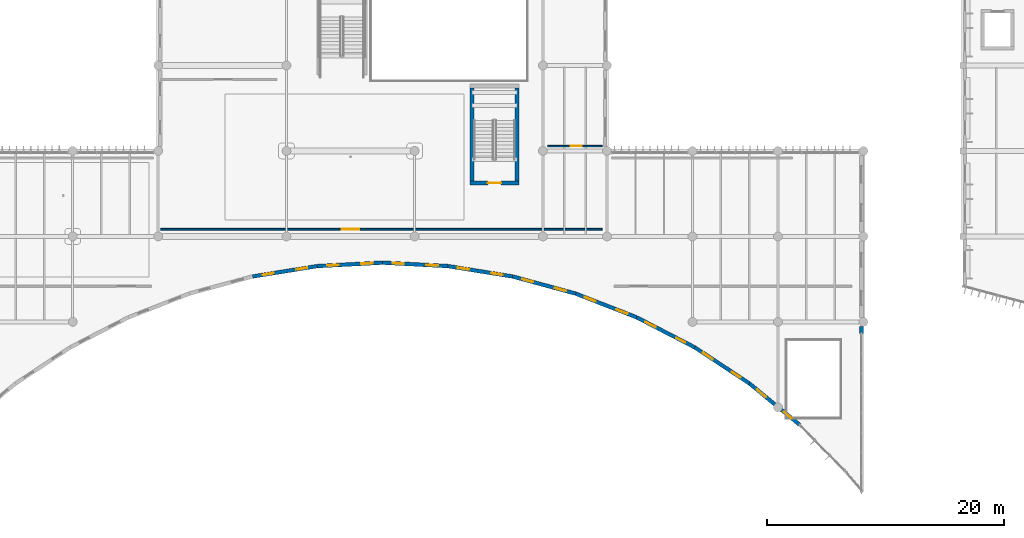
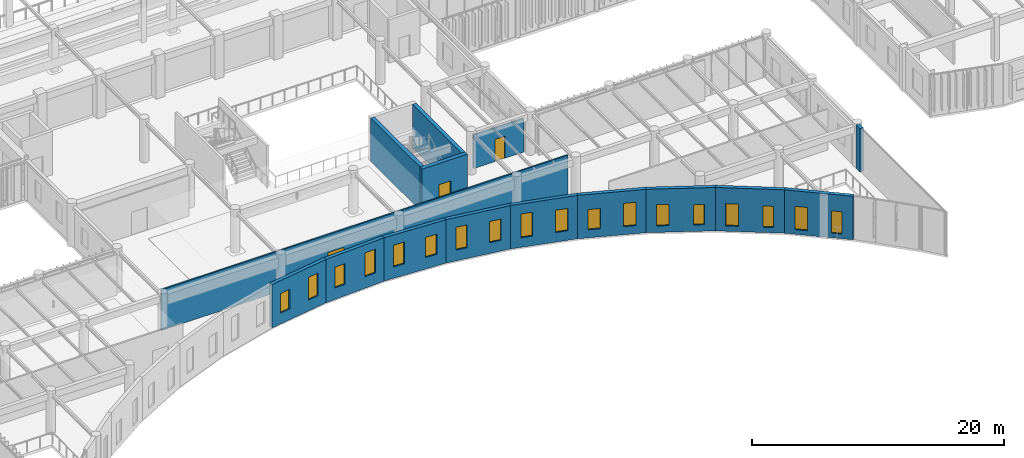
# One storey, part 40 of 122: 18 windows, 15 walls, 3 doors, 21 openings.
"""IFC4 building model written with IfcOpenShell, lengths in metres."""

from ifc_helpers import new_model, si_unit, direction, frame, frame_2d, origin, place, context, subcontext, project, spatial, rectangle, extrude, material, layer, layer_set, type_object, element, fill, save


model = new_model("IFC4")

# Units and contexts
model_context = context("Model", 3, precision=1e-05, world=origin(), true_north=direction((0.0, 1.0)))
body_context = subcontext(model_context, "Body", "Model", "MODEL_VIEW")
ifc_project = project(units=[si_unit("LENGTHUNIT", "METRE"), si_unit("AREAUNIT", "SQUARE_METRE"), si_unit("VOLUMEUNIT", "CUBIC_METRE"), si_unit("PLANEANGLEUNIT", "RADIAN"), si_unit("MASSUNIT", "GRAM", prefix="KILO")], contexts=[model_context])

# Site, building, storey
site_placement = place(None, origin())
site = spatial("IfcSite", under=ifc_project, at=site_placement, CompositionType="ELEMENT")
building_placement = place(site_placement, origin())
building = spatial("IfcBuilding", under=site, at=building_placement, Name="Tazoul Stagehouse", CompositionType="ELEMENT")
storey_placement = place(building_placement, frame((0.0, 0.0, 4.800048828125)))
storey = spatial("IfcBuildingStorey", under=building, at=storey_placement, Name="L01", CompositionType="ELEMENT", Elevation=4.800048828125)

# Wall, openings, windows
ifc_material_1 = material(Name="Ochre Fired Clay Facing Brick Masonry", Category="masonry")
ifc_layer_1 = layer(ifc_material_1, 0.320068359375, Name="Ochre Fired Clay Facing Brick Masonry")
ifc_layer_set_1 = layer_set([ifc_layer_1], Name="Ochre Fired Clay Facing Brick Masonry")
wall_type_1 = type_object("IfcWallType", Name="Concave Crescent Ochre Brick Facade Wall 320", PredefinedType="SOLIDWALL", material=ifc_layer_set_1)
wall_1_placement = place(storey_placement, frame((65.5576171875, 19.62060546875, 0.0), z_axis=(0.0, 0.0, 1.0), x_axis=(0.9873802806, 0.158367236138, 0.0)))
wall_1 = element("IfcWall", 1, at=wall_1_placement, inside=storey, type_object=wall_type_1, Name="L01 Wall EW-320 (WALL-V5-L01-C08)", PredefinedType="SOLIDWALL", context=body_context, shape_type="SweptSolid", body=[
    extrude(rectangle(XDim=5.509765625, YDim=0.320068359375, at=frame_2d((2.7548828125, 0.0))), origin(), (0.0, 0.0, 1.0), 4.199951171875),
])
opening_1_placement = place(wall_1_placement, frame((0.847412109375, 0.0, 1.0458984375)))
opening_1 = element("IfcOpeningElement", 2, at=opening_1_placement, cuts=wall_1, Name="Opening WN-11", PredefinedType="OPENING", context=body_context, shape_type="SweptSolid", body=[
    extrude(rectangle(XDim=0.949951171875, YDim=1.89990234375, at=frame_2d((0.47509765625, 0.949951171875))), frame((0.0, 0.179931640625, 0.0), z_axis=(0.0, -1.0, 0.0), x_axis=(1.0, 0.0, 0.0)), (0.0, 0.0, 1.0), 0.360107421875),
])
opening_2_placement = place(wall_1_placement, frame((3.71240234375, 0.0, 1.0458984375)))
opening_2 = element("IfcOpeningElement", 3, at=opening_2_placement, cuts=wall_1, Name="Opening WN-14", PredefinedType="OPENING", context=body_context, shape_type="SweptSolid", body=[
    extrude(rectangle(XDim=0.949951171875, YDim=2.199951171875, at=frame_2d((0.47509765625, 1.10009765625))), frame((0.0, 0.179931640625, 0.0), z_axis=(0.0, -1.0, 0.0), x_axis=(1.0, 0.0, 0.0)), (0.0, 0.0, 1.0), 0.360107421875),
])
ifc_material_2 = material(Name="Double Low-E Acoustic Laminated Glass", Category="glass")
window_type_1 = type_object("IfcWindowType", Name="Crescent Modulated Slot Window 950x1900", PartitioningType="SINGLE_PANEL", PredefinedType="WINDOW", material=ifc_material_2)
window_1_placement = place(opening_1_placement, origin())
window_1 = element("IfcWindow", 4, at=window_1_placement, inside=storey, type_object=window_type_1, Name="L01 Window WN-11 (WN-V5-L01-C08-1)", OverallHeight=1.89990234375, OverallWidth=0.949951171875, PartitioningType="SINGLE_PANEL", PredefinedType="WINDOW", context=body_context, shape_type="SweptSolid", body=[
    extrude(rectangle(XDim=0.949951171875, YDim=1.89990234375, at=frame_2d((0.47509765625, 0.949951171875))), frame((0.0, 0.030029296875, 0.0), z_axis=(0.0, -1.0, 0.0), x_axis=(1.0, 0.0, 0.0)), (0.0, 0.0, 1.0), 0.06005859375),
])
fill(opening_1, window_1)
window_type_2 = type_object("IfcWindowType", Name="Crescent Modulated Slot Window 950x2200", PartitioningType="SINGLE_PANEL", PredefinedType="WINDOW", material=ifc_material_2)
window_2_placement = place(opening_2_placement, origin())
window_2 = element("IfcWindow", 5, at=window_2_placement, inside=storey, type_object=window_type_2, Name="L01 Window WN-14 (WN-V5-L01-C08-2)", OverallHeight=2.199951171875, OverallWidth=0.949951171875, PartitioningType="SINGLE_PANEL", PredefinedType="WINDOW", context=body_context, shape_type="SweptSolid", body=[
    extrude(rectangle(XDim=0.949951171875, YDim=2.199951171875, at=frame_2d((0.47509765625, 1.10009765625))), frame((0.0, 0.030029296875, 0.0), z_axis=(0.0, -1.0, 0.0), x_axis=(1.0, 0.0, 0.0)), (0.0, 0.0, 1.0), 0.06005859375),
])
fill(opening_2, window_2)

wall_2_placement = place(storey_placement, frame((70.997802734375, 20.4931640625, 0.0), z_axis=(0.0, 0.0, 1.0), x_axis=(0.998597189501, 0.05294953372, 0.0)))
wall_2 = element("IfcWall", 6, at=wall_2_placement, inside=storey, type_object=wall_type_1, Name="L01 Wall EW-320 (WALL-V5-L01-C09)", PredefinedType="SOLIDWALL", context=body_context, shape_type="SweptSolid", body=[
    extrude(rectangle(XDim=5.510009765625, YDim=0.320068359375, at=frame_2d((2.7548828125, 0.0))), origin(), (0.0, 0.0, 1.0), 4.199951171875),
])
opening_3_placement = place(wall_2_placement, frame((0.847412109375, 0.0, 1.111572265625)))
opening_3 = element("IfcOpeningElement", 7, at=opening_3_placement, cuts=wall_2, Name="Opening WN-12", PredefinedType="OPENING", context=body_context, shape_type="SweptSolid", body=[
    extrude(rectangle(XDim=0.949951171875, YDim=2.0, at=frame_2d((0.47509765625, 1.0))), frame((0.0, 0.179931640625, 0.0), z_axis=(0.0, -1.0, 0.0), x_axis=(1.0, 0.0, 0.0)), (0.0, 0.0, 1.0), 0.360107421875),
])
opening_4_placement = place(wall_2_placement, frame((3.71240234375, 0.0, 1.111572265625)))
opening_4 = element("IfcOpeningElement", 8, at=opening_4_placement, cuts=wall_2, Name="Opening WN-15", PredefinedType="OPENING", context=body_context, shape_type="SweptSolid", body=[
    extrude(rectangle(XDim=0.949951171875, YDim=2.300048828125, at=frame_2d((0.47509765625, 1.14990234375))), frame((0.0, 0.179931640625, 0.0), z_axis=(0.0, -1.0, 0.0), x_axis=(1.0, 0.0, 0.0)), (0.0, 0.0, 1.0), 0.360107421875),
])
window_type_3 = type_object("IfcWindowType", Name="Crescent Modulated Slot Window 950x2000", PartitioningType="SINGLE_PANEL", PredefinedType="WINDOW", material=ifc_material_2)
window_3_placement = place(opening_3_placement, origin())
window_3 = element("IfcWindow", 9, at=window_3_placement, inside=storey, type_object=window_type_3, Name="L01 Window WN-12 (WN-V5-L01-C09-1)", OverallHeight=2.0, OverallWidth=0.949951171875, PartitioningType="SINGLE_PANEL", PredefinedType="WINDOW", context=body_context, shape_type="SweptSolid", body=[
    extrude(rectangle(XDim=0.949951171875, YDim=2.0, at=frame_2d((0.47509765625, 1.0))), frame((0.0, 0.030029296875, 0.0), z_axis=(0.0, -1.0, 0.0), x_axis=(1.0, 0.0, 0.0)), (0.0, 0.0, 1.0), 0.06005859375),
])
fill(opening_3, window_3)
window_type_4 = type_object("IfcWindowType", Name="Crescent Modulated Slot Window 950x2300", PartitioningType="SINGLE_PANEL", PredefinedType="WINDOW", material=ifc_material_2)
window_4_placement = place(opening_4_placement, origin())
window_4 = element("IfcWindow", 10, at=window_4_placement, inside=storey, type_object=window_type_4, Name="L01 Window WN-15 (WN-V5-L01-C09-2)", OverallHeight=2.300048828125, OverallWidth=0.949951171875, PartitioningType="SINGLE_PANEL", PredefinedType="WINDOW", context=body_context, shape_type="SweptSolid", body=[
    extrude(rectangle(XDim=0.949951171875, YDim=2.300048828125, at=frame_2d((0.47509765625, 1.14990234375))), frame((0.0, 0.030029296875, 0.0), z_axis=(0.0, -1.0, 0.0), x_axis=(1.0, 0.0, 0.0)), (0.0, 0.0, 1.0), 0.06005859375),
])
fill(opening_4, window_4)

wall_3_placement = place(storey_placement, frame((76.5, 20.784912109375, 0.0), z_axis=(0.0, 0.0, 1.0), x_axis=(0.998597189501, -0.05294953372, 0.0)))
wall_3 = element("IfcWall", 11, at=wall_3_placement, inside=storey, type_object=wall_type_1, Name="L01 Wall EW-320 (WALL-V5-L01-C10)", PredefinedType="SOLIDWALL", context=body_context, shape_type="SweptSolid", body=[
    extrude(rectangle(XDim=5.510009765625, YDim=0.320068359375, at=frame_2d((2.7548828125, 0.0))), origin(), (0.0, 0.0, 1.0), 4.199951171875),
])
opening_5_placement = place(wall_3_placement, frame((0.847412109375, 0.0, 1.111572265625)))
opening_5 = element("IfcOpeningElement", 12, at=opening_5_placement, cuts=wall_3, Name="Opening WN-13", PredefinedType="OPENING", context=body_context, shape_type="SweptSolid", body=[
    extrude(rectangle(XDim=0.949951171875, YDim=2.10009765625, at=frame_2d((0.47509765625, 1.050048828125))), frame((0.0, 0.179931640625, 0.0), z_axis=(0.0, -1.0, 0.0), x_axis=(1.0, 0.0, 0.0)), (0.0, 0.0, 1.0), 0.360107421875),
])
opening_6_placement = place(wall_3_placement, frame((3.6875, 0.0, 1.111572265625)))
opening_6 = element("IfcOpeningElement", 13, at=opening_6_placement, cuts=wall_3, Name="Opening WN-16", PredefinedType="OPENING", context=body_context, shape_type="SweptSolid", body=[
    extrude(rectangle(XDim=1.0, YDim=1.949951171875, at=frame_2d((0.5, 0.97509765625))), frame((0.0, 0.179931640625, 0.0), z_axis=(0.0, -1.0, 0.0), x_axis=(1.0, 0.0, 0.0)), (0.0, 0.0, 1.0), 0.360107421875),
])
window_type_5 = type_object("IfcWindowType", Name="Crescent Modulated Slot Window 1000x1950", PartitioningType="SINGLE_PANEL", PredefinedType="WINDOW", material=ifc_material_2)
window_5_placement = place(opening_6_placement, origin())
window_5 = element("IfcWindow", 14, at=window_5_placement, inside=storey, type_object=window_type_5, Name="L01 Window WN-16 (WN-V5-L01-C10-2)", OverallHeight=1.949951171875, OverallWidth=1.0, PartitioningType="SINGLE_PANEL", PredefinedType="WINDOW", context=body_context, shape_type="SweptSolid", body=[
    extrude(rectangle(XDim=1.0, YDim=1.949951171875, at=frame_2d((0.5, 0.97509765625))), frame((0.0, 0.030029296875, 0.0), z_axis=(0.0, -1.0, 0.0), x_axis=(1.0, 0.0, 0.0)), (0.0, 0.0, 1.0), 0.06005859375),
])
fill(opening_6, window_5)
window_type_6 = type_object("IfcWindowType", Name="Crescent Modulated Slot Window 950x2100", PartitioningType="SINGLE_PANEL", PredefinedType="WINDOW", material=ifc_material_2)
window_6_placement = place(opening_5_placement, origin())
window_6 = element("IfcWindow", 15, at=window_6_placement, inside=storey, type_object=window_type_6, Name="L01 Window WN-13 (WN-V5-L01-C10-1)", OverallHeight=2.10009765625, OverallWidth=0.949951171875, PartitioningType="SINGLE_PANEL", PredefinedType="WINDOW", context=body_context, shape_type="SweptSolid", body=[
    extrude(rectangle(XDim=0.949951171875, YDim=2.10009765625, at=frame_2d((0.47509765625, 1.050048828125))), frame((0.0, 0.030029296875, 0.0), z_axis=(0.0, -1.0, 0.0), x_axis=(1.0, 0.0, 0.0)), (0.0, 0.0, 1.0), 0.06005859375),
])
fill(opening_5, window_6)

wall_4_placement = place(storey_placement, frame((82.002197265625, 20.4931640625, 0.0), z_axis=(0.0, 0.0, 1.0), x_axis=(0.9873802806, -0.158367236138, 0.0)))
wall_4 = element("IfcWall", 16, at=wall_4_placement, inside=storey, type_object=wall_type_1, Name="L01 Wall EW-320 (WALL-V5-L01-C11)", PredefinedType="SOLIDWALL", context=body_context, shape_type="SweptSolid", body=[
    extrude(rectangle(XDim=5.509765625, YDim=0.320068359375, at=frame_2d((2.7548828125, 0.0))), origin(), (0.0, 0.0, 1.0), 4.199951171875),
])
opening_7_placement = place(wall_4_placement, frame((0.847412109375, 0.0, 1.0458984375)))
opening_7 = element("IfcOpeningElement", 17, at=opening_7_placement, cuts=wall_4, Name="Opening WN-14", PredefinedType="OPENING", context=body_context, shape_type="SweptSolid", body=[
    extrude(rectangle(XDim=0.949951171875, YDim=2.199951171875, at=frame_2d((0.47509765625, 1.10009765625))), frame((0.0, 0.179931640625, 0.0), z_axis=(0.0, -1.0, 0.0), x_axis=(1.0, 0.0, 0.0)), (0.0, 0.0, 1.0), 0.360107421875),
])
opening_8_placement = place(wall_4_placement, frame((3.6875, 0.0, 1.0458984375)))
opening_8 = element("IfcOpeningElement", 18, at=opening_8_placement, cuts=wall_4, Name="Opening WN-17", PredefinedType="OPENING", context=body_context, shape_type="SweptSolid", body=[
    extrude(rectangle(XDim=1.0, YDim=2.050048828125, at=frame_2d((0.5, 1.02490234375))), frame((0.0, 0.179931640625, 0.0), z_axis=(0.0, -1.0, 0.0), x_axis=(1.0, 0.0, 0.0)), (0.0, 0.0, 1.0), 0.360107421875),
])
window_type_7 = type_object("IfcWindowType", Name="Crescent Modulated Slot Window 1000x2050", PartitioningType="SINGLE_PANEL", PredefinedType="WINDOW", material=ifc_material_2)
window_7_placement = place(opening_8_placement, origin())
window_7 = element("IfcWindow", 19, at=window_7_placement, inside=storey, type_object=window_type_7, Name="L01 Window WN-17 (WN-V5-L01-C11-2)", OverallHeight=2.050048828125, OverallWidth=1.0, PartitioningType="SINGLE_PANEL", PredefinedType="WINDOW", context=body_context, shape_type="SweptSolid", body=[
    extrude(rectangle(XDim=1.0, YDim=2.050048828125, at=frame_2d((0.5, 1.02490234375))), frame((0.0, 0.030029296875, 0.0), z_axis=(0.0, -1.0, 0.0), x_axis=(1.0, 0.0, 0.0)), (0.0, 0.0, 1.0), 0.06005859375),
])
fill(opening_8, window_7)
window_8_placement = place(opening_7_placement, origin())
window_8 = element("IfcWindow", 20, at=window_8_placement, inside=storey, type_object=window_type_2, Name="L01 Window WN-14 (WN-V5-L01-C11-1)", OverallHeight=2.199951171875, OverallWidth=0.949951171875, PartitioningType="SINGLE_PANEL", PredefinedType="WINDOW", context=body_context, shape_type="SweptSolid", body=[
    extrude(rectangle(XDim=0.949951171875, YDim=2.199951171875, at=frame_2d((0.47509765625, 1.10009765625))), frame((0.0, 0.030029296875, 0.0), z_axis=(0.0, -1.0, 0.0), x_axis=(1.0, 0.0, 0.0)), (0.0, 0.0, 1.0), 0.06005859375),
])
fill(opening_7, window_8)

wall_5_placement = place(storey_placement, frame((87.4423828125, 19.62060546875, 0.0), z_axis=(0.0, 0.0, 1.0), x_axis=(0.965092315166, -0.261909952479, 0.0)))
wall_5 = element("IfcWall", 21, at=wall_5_placement, inside=storey, type_object=wall_type_1, Name="L01 Wall EW-320 (WALL-V5-L01-C12)", PredefinedType="SOLIDWALL", context=body_context, shape_type="SweptSolid", body=[
    extrude(rectangle(XDim=5.510009765625, YDim=0.320068359375, at=frame_2d((2.7548828125, 0.0))), origin(), (0.0, 0.0, 1.0), 4.199951171875),
])
opening_9_placement = place(wall_5_placement, frame((0.847412109375, 0.0, 0.927490234375)))
opening_9 = element("IfcOpeningElement", 22, at=opening_9_placement, cuts=wall_5, Name="Opening WN-15", PredefinedType="OPENING", context=body_context, shape_type="SweptSolid", body=[
    extrude(rectangle(XDim=0.949951171875, YDim=2.300048828125, at=frame_2d((0.47509765625, 1.14990234375))), frame((0.0, 0.179931640625, 0.0), z_axis=(0.0, -1.0, 0.0), x_axis=(1.0, 0.0, 0.0)), (0.0, 0.0, 1.0), 0.360107421875),
])
opening_10_placement = place(wall_5_placement, frame((3.6875, 0.0, 0.927490234375)))
opening_10 = element("IfcOpeningElement", 23, at=opening_10_placement, cuts=wall_5, Name="Opening WN-18", PredefinedType="OPENING", context=body_context, shape_type="SweptSolid", body=[
    extrude(rectangle(XDim=1.0, YDim=2.14990234375, at=frame_2d((0.5, 1.074951171875))), frame((0.0, 0.179931640625, 0.0), z_axis=(0.0, -1.0, 0.0), x_axis=(1.0, 0.0, 0.0)), (0.0, 0.0, 1.0), 0.360107421875),
])
window_type_8 = type_object("IfcWindowType", Name="Crescent Modulated Slot Window 1000x2150", PartitioningType="SINGLE_PANEL", PredefinedType="WINDOW", material=ifc_material_2)
window_9_placement = place(opening_10_placement, origin())
window_9 = element("IfcWindow", 24, at=window_9_placement, inside=storey, type_object=window_type_8, Name="L01 Window WN-18 (WN-V5-L01-C12-2)", OverallHeight=2.14990234375, OverallWidth=1.0, PartitioningType="SINGLE_PANEL", PredefinedType="WINDOW", context=body_context, shape_type="SweptSolid", body=[
    extrude(rectangle(XDim=1.0, YDim=2.14990234375, at=frame_2d((0.5, 1.074951171875))), frame((0.0, 0.030029296875, 0.0), z_axis=(0.0, -1.0, 0.0), x_axis=(1.0, 0.0, 0.0)), (0.0, 0.0, 1.0), 0.06005859375),
])
fill(opening_10, window_9)
window_10_placement = place(opening_9_placement, origin())
window_10 = element("IfcWindow", 25, at=window_10_placement, inside=storey, type_object=window_type_4, Name="L01 Window WN-15 (WN-V5-L01-C12-1)", OverallHeight=2.300048828125, OverallWidth=0.949951171875, PartitioningType="SINGLE_PANEL", PredefinedType="WINDOW", context=body_context, shape_type="SweptSolid", body=[
    extrude(rectangle(XDim=0.949951171875, YDim=2.300048828125, at=frame_2d((0.47509765625, 1.14990234375))), frame((0.0, 0.030029296875, 0.0), z_axis=(0.0, -1.0, 0.0), x_axis=(1.0, 0.0, 0.0)), (0.0, 0.0, 1.0), 0.06005859375),
])
fill(opening_9, window_10)

wall_6_placement = place(storey_placement, frame((92.760009765625, 18.177490234375, 0.0), z_axis=(0.0, 0.0, 1.0), x_axis=(0.931946449517, -0.362595939349, 0.0)))
wall_6 = element("IfcWall", 26, at=wall_6_placement, inside=storey, type_object=wall_type_1, Name="L01 Wall EW-320 (WALL-V5-L01-C13)", PredefinedType="SOLIDWALL", context=body_context, shape_type="SweptSolid", body=[
    extrude(rectangle(XDim=5.509765625, YDim=0.320068359375, at=frame_2d((2.7548828125, 0.0))), origin(), (0.0, 0.0, 1.0), 4.199951171875),
])
opening_11_placement = place(wall_6_placement, frame((0.822509765625, 0.0, 0.780029296875)))
opening_11 = element("IfcOpeningElement", 27, at=opening_11_placement, cuts=wall_6, Name="Opening WN-16", PredefinedType="OPENING", context=body_context, shape_type="SweptSolid", body=[
    extrude(rectangle(XDim=1.0, YDim=1.949951171875, at=frame_2d((0.5, 0.97509765625))), frame((0.0, 0.179931640625, 0.0), z_axis=(0.0, -1.0, 0.0), x_axis=(1.0, 0.0, 0.0)), (0.0, 0.0, 1.0), 0.360107421875),
])
opening_12_placement = place(wall_6_placement, frame((3.6875, 0.0, 0.780029296875)))
opening_12 = element("IfcOpeningElement", 28, at=opening_12_placement, cuts=wall_6, Name="Opening WN-19", PredefinedType="OPENING", context=body_context, shape_type="SweptSolid", body=[
    extrude(rectangle(XDim=1.0, YDim=2.25, at=frame_2d((0.5, 1.125))), frame((0.0, 0.179931640625, 0.0), z_axis=(0.0, -1.0, 0.0), x_axis=(1.0, 0.0, 0.0)), (0.0, 0.0, 1.0), 0.360107421875),
])
window_11_placement = place(opening_11_placement, origin())
window_11 = element("IfcWindow", 29, at=window_11_placement, inside=storey, type_object=window_type_5, Name="L01 Window WN-16 (WN-V5-L01-C13-1)", OverallHeight=1.949951171875, OverallWidth=1.0, PartitioningType="SINGLE_PANEL", PredefinedType="WINDOW", context=body_context, shape_type="SweptSolid", body=[
    extrude(rectangle(XDim=1.0, YDim=1.949951171875, at=frame_2d((0.5, 0.97509765625))), frame((0.0, 0.030029296875, 0.0), z_axis=(0.0, -1.0, 0.0), x_axis=(1.0, 0.0, 0.0)), (0.0, 0.0, 1.0), 0.06005859375),
])
fill(opening_11, window_11)
window_type_9 = type_object("IfcWindowType", Name="Crescent Modulated Slot Window 1000x2250", PartitioningType="SINGLE_PANEL", PredefinedType="WINDOW", material=ifc_material_2)
window_12_placement = place(opening_12_placement, origin())
window_12 = element("IfcWindow", 30, at=window_12_placement, inside=storey, type_object=window_type_9, Name="L01 Window WN-19 (WN-V5-L01-C13-2)", OverallHeight=2.25, OverallWidth=1.0, PartitioningType="SINGLE_PANEL", PredefinedType="WINDOW", context=body_context, shape_type="SweptSolid", body=[
    extrude(rectangle(XDim=1.0, YDim=2.25, at=frame_2d((0.5, 1.125))), frame((0.0, 0.030029296875, 0.0), z_axis=(0.0, -1.0, 0.0), x_axis=(1.0, 0.0, 0.0)), (0.0, 0.0, 1.0), 0.06005859375),
])
fill(opening_12, window_12)

wall_7_placement = place(storey_placement, frame((97.894775390625, 16.1796875, 0.0), z_axis=(0.0, 0.0, 1.0), x_axis=(0.888365365521, -0.459137209713, 0.0)))
wall_7 = element("IfcWall", 31, at=wall_7_placement, inside=storey, type_object=wall_type_1, Name="L01 Wall EW-320 (WALL-V5-L01-C14)", PredefinedType="SOLIDWALL", context=body_context, shape_type="SweptSolid", body=[
    extrude(rectangle(XDim=5.509765625, YDim=0.320068359375, at=frame_2d((2.7548828125, 0.0))), origin(), (0.0, 0.0, 1.0), 4.199951171875),
])
opening_13_placement = place(wall_7_placement, frame((0.822509765625, 0.0, 0.632568359375)))
opening_13 = element("IfcOpeningElement", 32, at=opening_13_placement, cuts=wall_7, Name="Opening WN-17", PredefinedType="OPENING", context=body_context, shape_type="SweptSolid", body=[
    extrude(rectangle(XDim=1.0, YDim=2.050048828125, at=frame_2d((0.5, 1.02490234375))), frame((0.0, 0.179931640625, 0.0), z_axis=(0.0, -1.0, 0.0), x_axis=(1.0, 0.0, 0.0)), (0.0, 0.0, 1.0), 0.360107421875),
])
opening_14_placement = place(wall_7_placement, frame((3.762451171875, 0.0, 0.632568359375)))
opening_14 = element("IfcOpeningElement", 33, at=opening_14_placement, cuts=wall_7, Name="Opening WN-06", PredefinedType="OPENING", context=body_context, shape_type="SweptSolid", body=[
    extrude(rectangle(XDim=0.85009765625, YDim=1.949951171875, at=frame_2d((0.425048828125, 0.97509765625))), frame((0.0, 0.179931640625, 0.0), z_axis=(0.0, -1.0, 0.0), x_axis=(1.0, 0.0, 0.0)), (0.0, 0.0, 1.0), 0.360107421875),
])
window_13_placement = place(opening_13_placement, origin())
window_13 = element("IfcWindow", 34, at=window_13_placement, inside=storey, type_object=window_type_7, Name="L01 Window WN-17 (WN-V5-L01-C14-1)", OverallHeight=2.050048828125, OverallWidth=1.0, PartitioningType="SINGLE_PANEL", PredefinedType="WINDOW", context=body_context, shape_type="SweptSolid", body=[
    extrude(rectangle(XDim=1.0, YDim=2.050048828125, at=frame_2d((0.5, 1.02490234375))), frame((0.0, 0.030029296875, 0.0), z_axis=(0.0, -1.0, 0.0), x_axis=(1.0, 0.0, 0.0)), (0.0, 0.0, 1.0), 0.06005859375),
])
fill(opening_13, window_13)
window_type_10 = type_object("IfcWindowType", Name="Crescent Modulated Slot Window 850x1950", PartitioningType="SINGLE_PANEL", PredefinedType="WINDOW", material=ifc_material_2)
window_14_placement = place(opening_14_placement, origin())
window_14 = element("IfcWindow", 35, at=window_14_placement, inside=storey, type_object=window_type_10, Name="L01 Window WN-06 (WN-V5-L01-C14-2)", OverallHeight=1.949951171875, OverallWidth=0.85009765625, PartitioningType="SINGLE_PANEL", PredefinedType="WINDOW", context=body_context, shape_type="SweptSolid", body=[
    extrude(rectangle(XDim=0.85009765625, YDim=1.949951171875, at=frame_2d((0.425048828125, 0.97509765625))), frame((0.0, 0.030029296875, 0.0), z_axis=(0.0, -1.0, 0.0), x_axis=(1.0, 0.0, 0.0)), (0.0, 0.0, 1.0), 0.06005859375),
])
fill(opening_14, window_14)

wall_8_placement = place(storey_placement, frame((102.78955078125, 13.64990234375, 0.0), z_axis=(0.0, 0.0, 1.0), x_axis=(0.834787412137, -0.550572408079, 0.0)))
wall_8 = element("IfcWall", 36, at=wall_8_placement, inside=storey, type_object=wall_type_1, Name="L01 Wall EW-320 (WALL-V5-L01-C15)", PredefinedType="SOLIDWALL", context=body_context, shape_type="SweptSolid", body=[
    extrude(rectangle(XDim=5.509521484375, YDim=0.320068359375, at=frame_2d((2.7548828125, 0.0))), origin(), (0.0, 0.0, 1.0), 4.199951171875),
])
opening_15_placement = place(wall_8_placement, frame((0.822265625, 0.0, 0.51416015625)))
opening_15 = element("IfcOpeningElement", 37, at=opening_15_placement, cuts=wall_8, Name="Opening WN-18", PredefinedType="OPENING", context=body_context, shape_type="SweptSolid", body=[
    extrude(rectangle(XDim=1.0, YDim=2.14990234375, at=frame_2d((0.5, 1.074951171875))), frame((0.0, 0.179931640625, 0.0), z_axis=(0.0, -1.0, 0.0), x_axis=(1.0, 0.0, 0.0)), (0.0, 0.0, 1.0), 0.360107421875),
])
opening_16_placement = place(wall_8_placement, frame((3.762451171875, 0.0, 0.51416015625)))
opening_16 = element("IfcOpeningElement", 38, at=opening_16_placement, cuts=wall_8, Name="Opening WN-07", PredefinedType="OPENING", context=body_context, shape_type="SweptSolid", body=[
    extrude(rectangle(XDim=0.85009765625, YDim=2.050048828125, at=frame_2d((0.425048828125, 1.02490234375))), frame((0.0, 0.179931640625, 0.0), z_axis=(0.0, -1.0, 0.0), x_axis=(1.0, 0.0, 0.0)), (0.0, 0.0, 1.0), 0.360107421875),
])
window_15_placement = place(opening_15_placement, origin())
window_15 = element("IfcWindow", 39, at=window_15_placement, inside=storey, type_object=window_type_8, Name="L01 Window WN-18 (WN-V5-L01-C15-1)", OverallHeight=2.14990234375, OverallWidth=1.0, PartitioningType="SINGLE_PANEL", PredefinedType="WINDOW", context=body_context, shape_type="SweptSolid", body=[
    extrude(rectangle(XDim=1.0, YDim=2.14990234375, at=frame_2d((0.5, 1.074951171875))), frame((0.0, 0.030029296875, 0.0), z_axis=(0.0, -1.0, 0.0), x_axis=(1.0, 0.0, 0.0)), (0.0, 0.0, 1.0), 0.06005859375),
])
fill(opening_15, window_15)
window_type_11 = type_object("IfcWindowType", Name="Crescent Modulated Slot Window 850x2050", PartitioningType="SINGLE_PANEL", PredefinedType="WINDOW", material=ifc_material_2)
window_16_placement = place(opening_16_placement, origin())
window_16 = element("IfcWindow", 40, at=window_16_placement, inside=storey, type_object=window_type_11, Name="L01 Window WN-07 (WN-V5-L01-C15-2)", OverallHeight=2.050048828125, OverallWidth=0.85009765625, PartitioningType="SINGLE_PANEL", PredefinedType="WINDOW", context=body_context, shape_type="SweptSolid", body=[
    extrude(rectangle(XDim=0.85009765625, YDim=2.050048828125, at=frame_2d((0.425048828125, 1.02490234375))), frame((0.0, 0.030029296875, 0.0), z_axis=(0.0, -1.0, 0.0), x_axis=(1.0, 0.0, 0.0)), (0.0, 0.0, 1.0), 0.06005859375),
])
fill(opening_16, window_16)

wall_9_placement = place(storey_placement, frame((107.388916015625, 10.616455078125, 0.0), z_axis=(0.0, 0.0, 1.0), x_axis=(0.771862443056, -0.635789563456, 0.0)))
wall_9 = element("IfcWall", 41, at=wall_9_placement, inside=storey, type_object=wall_type_1, Name="L01 Wall EW-320 (WALL-V5-L01-C16)", PredefinedType="SOLIDWALL", context=body_context, shape_type="SweptSolid", body=[
    extrude(rectangle(XDim=5.510009765625, YDim=0.320068359375, at=frame_2d((2.7548828125, 0.0))), origin(), (0.0, 0.0, 1.0), 4.199951171875),
])
opening_17_placement = place(wall_9_placement, frame((0.822509765625, 0.0, 0.448486328125)))
opening_17 = element("IfcOpeningElement", 42, at=opening_17_placement, cuts=wall_9, Name="Opening WN-19", PredefinedType="OPENING", context=body_context, shape_type="SweptSolid", body=[
    extrude(rectangle(XDim=1.0, YDim=2.25, at=frame_2d((0.5, 1.125))), frame((0.0, 0.179931640625, 0.0), z_axis=(0.0, -1.0, 0.0), x_axis=(1.0, 0.0, 0.0)), (0.0, 0.0, 1.0), 0.360107421875),
])
opening_18_placement = place(wall_9_placement, frame((3.762451171875, 0.0, 0.448486328125)))
opening_18 = element("IfcOpeningElement", 43, at=opening_18_placement, cuts=wall_9, Name="Opening WN-08", PredefinedType="OPENING", context=body_context, shape_type="SweptSolid", body=[
    extrude(rectangle(XDim=0.85009765625, YDim=2.14990234375, at=frame_2d((0.425048828125, 1.074951171875))), frame((0.0, 0.179931640625, 0.0), z_axis=(0.0, -1.0, 0.0), x_axis=(1.0, 0.0, 0.0)), (0.0, 0.0, 1.0), 0.360107421875),
])
window_17_placement = place(opening_17_placement, origin())
window_17 = element("IfcWindow", 44, at=window_17_placement, inside=storey, type_object=window_type_9, Name="L01 Window WN-19 (WN-V5-L01-C16-1)", OverallHeight=2.25, OverallWidth=1.0, PartitioningType="SINGLE_PANEL", PredefinedType="WINDOW", context=body_context, shape_type="SweptSolid", body=[
    extrude(rectangle(XDim=1.0, YDim=2.25, at=frame_2d((0.5, 1.125))), frame((0.0, 0.030029296875, 0.0), z_axis=(0.0, -1.0, 0.0), x_axis=(1.0, 0.0, 0.0)), (0.0, 0.0, 1.0), 0.06005859375),
])
fill(opening_17, window_17)
window_type_12 = type_object("IfcWindowType", Name="Crescent Modulated Slot Window 850x2150", PartitioningType="SINGLE_PANEL", PredefinedType="WINDOW", material=ifc_material_2)
window_18_placement = place(opening_18_placement, origin())
window_18 = element("IfcWindow", 45, at=window_18_placement, inside=storey, type_object=window_type_12, Name="L01 Window WN-08 (WN-V5-L01-C16-2)", OverallHeight=2.14990234375, OverallWidth=0.85009765625, PartitioningType="SINGLE_PANEL", PredefinedType="WINDOW", context=body_context, shape_type="SweptSolid", body=[
    extrude(rectangle(XDim=0.85009765625, YDim=2.14990234375, at=frame_2d((0.425048828125, 1.074951171875))), frame((0.0, 0.030029296875, 0.0), z_axis=(0.0, -1.0, 0.0), x_axis=(1.0, 0.0, 0.0)), (0.0, 0.0, 1.0), 0.06005859375),
])
fill(opening_18, window_18)

# Wall
wall_10_placement = place(storey_placement, frame((116.840087890625, 14.820068359375, 0.0), z_axis=(0.0, 0.0, 1.0), x_axis=(0.0, 1.0, 0.0)))
element("IfcWall", 46, at=wall_10_placement, inside=storey, type_object=wall_type_1, Name="L01 Wall EW-320 (WALL-V5-E-L01-S1)", PredefinedType="SOLIDWALL", context=body_context, shape_type="SweptSolid", body=[
    extrude(rectangle(XDim=0.599853515625, YDim=0.320068359375, at=frame_2d((0.2998046875, 0.0))), origin(), (0.0, 0.0, 1.0), 4.199951171875),
])

# Wall, opening, door
ifc_material_3 = material(Name="Concrete C40/50", Category="concrete")
ifc_layer_2 = layer(ifc_material_3, 0.35009765625, Name="Concrete C40/50")
ifc_layer_set_2 = layer_set([ifc_layer_2], Name="Concrete C40/50")
wall_type_2 = type_object("IfcWallType", Name="Core Shear Wall 350", PredefinedType="SOLIDWALL", material=ifc_layer_set_2)
wall_11_placement = place(storey_placement, frame((88.0, 27.5048828125, 0.0), z_axis=(0.0, 0.0, 1.0), x_axis=(-1.0, 0.0, 0.0)))
wall_11 = element("IfcWall", 47, at=wall_11_placement, inside=storey, type_object=wall_type_2, Name="L01 Core Wall CW-350 (SHF-ST-08-south)", PredefinedType="SOLIDWALL", context=body_context, shape_type="SweptSolid", body=[
    extrude(rectangle(XDim=4.14990234375, YDim=0.35009765625, at=frame_2d((2.074951171875, 0.0))), origin(), (0.0, 0.0, 1.0), 4.199951171875),
])
opening_19_placement = place(wall_11_placement, frame((1.52490234375, 0.0, 0.0)))
opening_19 = element("IfcOpeningElement", 48, at=opening_19_placement, cuts=wall_11, Name="Opening FD-01", PredefinedType="OPENING", context=body_context, shape_type="SweptSolid", body=[
    extrude(rectangle(XDim=1.10009765625, YDim=2.14990234375, at=frame_2d((0.550048828125, 1.074951171875))), frame((0.0, 0.195068359375, 0.0), z_axis=(0.0, -1.0, 0.0), x_axis=(1.0, 0.0, 0.0)), (0.0, 0.0, 1.0), 0.39013671875),
])
ifc_material_4 = material(Name="Powder-Coated Galvanised Acoustic Steel", Category="steel")
door_type_1 = type_object("IfcDoorType", Name="Core Escape Stair Fire Door 1100x2150", OperationType="NOTDEFINED", PredefinedType="DOOR", material=ifc_material_4)
door_1_placement = place(opening_19_placement, origin())
door_1 = element("IfcDoor", 49, at=door_1_placement, inside=storey, type_object=door_type_1, Name="L01 Escape Stair Fire Door FD-01 (ST-08)", OperationType="SINGLE_SWING_RIGHT", OverallHeight=2.14990234375, OverallWidth=1.10009765625, PredefinedType="DOOR", context=body_context, shape_type="SweptSolid", body=[
    extrude(rectangle(XDim=1.10009765625, YDim=2.14990234375, at=frame_2d((0.550048828125, 1.074951171875))), frame((0.0, 0.02490234375, 0.0), z_axis=(0.0, -1.0, 0.0), x_axis=(1.0, 0.0, 0.0)), (0.0, 0.0, 1.0), 0.050048828125),
])
fill(opening_19, door_1)

# Walls
for number, where, z_axis, x_axis, name in (
    (50, (84.02490234375, 27.679931640625, 0.0), (0.0, 0.0, 1.0), (0.0, 1.0, 0.0), "L01 Core Wall CW-350 (SHF-ST-08-west)"),
    (51, (87.824951171875, 35.47998046875, 0.0), (0.0, 0.0, 1.0), (0.0, -1.0, 0.0), "L01 Core Wall CW-350 (SHF-ST-08-east)"),
):
    element("IfcWall", number, at=place(storey_placement, frame(where, z_axis=z_axis, x_axis=x_axis)), inside=storey, type_object=wall_type_2, Name=name, PredefinedType="SOLIDWALL", context=body_context, shape_type="SweptSolid", body=[
        extrude(rectangle(XDim=7.800048828125, YDim=0.35009765625, at=frame_2d((3.89990234375, 0.0))), origin(), (0.0, 0.0, 1.0), 4.199951171875),
    ])

# Wall, opening, door
ifc_material_5 = material(Name="Gypsum Acoustic Partition", Category="gypsum")
ifc_layer_3 = layer(ifc_material_5, 0.1298828125, Name="Gypsum Acoustic Partition")
ifc_layer_set_3 = layer_set([ifc_layer_3], Name="Gypsum Acoustic Partition")
wall_type_3 = type_object("IfcWallType", Name="Office Drywall Partition 130", PredefinedType="PARTITIONING", material=ifc_layer_set_3)
wall_12_placement = place(storey_placement, frame((57.800048828125, 23.60009765625, 0.0), z_axis=(0.0, 0.0, 1.0), x_axis=(1.0, 0.0, 0.0)))
wall_12 = element("IfcWall", 52, at=wall_12_placement, inside=storey, type_object=wall_type_3, Name="L01 Partition PW-130 (PW-RM-L01-114-N)", PredefinedType="PARTITIONING", context=body_context, shape_type="SweptSolid", body=[
    extrude(rectangle(XDim=37.199951171875, YDim=0.1298828125, at=frame_2d((18.60009765625, 0.0))), origin(), (0.0, 0.0, 1.0), 3.93994140625),
])
opening_20_placement = place(wall_12_placement, frame((15.264892578125, 0.0, 0.0)))
opening_20 = element("IfcOpeningElement", 53, at=opening_20_placement, cuts=wall_12, Name="Opening ID-21", PredefinedType="OPENING", context=body_context, shape_type="SweptSolid", body=[
    extrude(rectangle(XDim=1.449951171875, YDim=2.199951171875, at=frame_2d((0.72509765625, 1.10009765625))), frame((0.0, 0.0849609375, 0.0), z_axis=(0.0, -1.0, 0.0), x_axis=(1.0, 0.0, 0.0)), (0.0, 0.0, 1.0), 0.169921875),
])
ifc_material_6 = material(Name="Acoustic Cedar Timber", Category="wood")
door_type_2 = type_object("IfcDoorType", Name="Press Conference Double Door 1450x2200", OperationType="DOUBLE_DOOR_SINGLE_SWING", PredefinedType="DOOR", material=ifc_material_6)
door_2_placement = place(opening_20_placement, origin())
door_2 = element("IfcDoor", 54, at=door_2_placement, inside=storey, type_object=door_type_2, Name="L01 Crescent Mezzanine Patron Reading Gallery Door", OperationType="DOUBLE_DOOR_SINGLE_SWING", OverallHeight=2.199951171875, OverallWidth=1.449951171875, PredefinedType="DOOR", context=body_context, shape_type="SweptSolid", body=[
    extrude(rectangle(XDim=1.449951171875, YDim=2.199951171875, at=frame_2d((0.72509765625, 1.10009765625))), frame((0.0, 0.02490234375, 0.0), z_axis=(0.0, -1.0, 0.0), x_axis=(1.0, 0.0, 0.0)), (0.0, 0.0, 1.0), 0.050048828125),
])
fill(opening_20, door_2)

wall_13_placement = place(storey_placement, frame((95.0, 30.60009765625, 0.0), z_axis=(0.0, 0.0, 1.0), x_axis=(-1.0, 0.0, 0.0)))
wall_13 = element("IfcWall", 55, at=wall_13_placement, inside=storey, type_object=wall_type_3, Name="L01 Partition PW-130 (PW-RM-L01-118-S)", PredefinedType="PARTITIONING", context=body_context, shape_type="SweptSolid", body=[
    extrude(rectangle(XDim=4.60498046875, YDim=0.1298828125, at=frame_2d((2.302490234375, 0.0))), origin(), (0.0, 0.0, 1.0), 3.260009765625),
])
opening_21_placement = place(wall_13_placement, frame((1.73681640625, 0.0, 0.0)))
opening_21 = element("IfcOpeningElement", 56, at=opening_21_placement, cuts=wall_13, Name="Opening ID-05", PredefinedType="OPENING", context=body_context, shape_type="SweptSolid", body=[
    extrude(rectangle(XDim=0.89990234375, YDim=2.14990234375, at=frame_2d((0.449951171875, 1.074951171875))), frame((0.0, 0.0849609375, 0.0), z_axis=(0.0, -1.0, 0.0), x_axis=(1.0, 0.0, 0.0)), (0.0, 0.0, 1.0), 0.169921875),
])
door_type_3 = type_object("IfcDoorType", Name="Office Timber Acoustic Door 900x2150", OperationType="NOTDEFINED", PredefinedType="DOOR", material=ifc_material_6)
door_3_placement = place(opening_21_placement, origin())
door_3 = element("IfcDoor", 57, at=door_3_placement, inside=storey, type_object=door_type_3, Name="L01 Dress Circle East Atrium Salon Door", OperationType="SINGLE_SWING_LEFT", OverallHeight=2.14990234375, OverallWidth=0.89990234375, PredefinedType="DOOR", context=body_context, shape_type="SweptSolid", body=[
    extrude(rectangle(XDim=0.89990234375, YDim=2.14990234375, at=frame_2d((0.449951171875, 1.074951171875))), frame((0.0, 0.02490234375, 0.0), z_axis=(0.0, -1.0, 0.0), x_axis=(1.0, 0.0, 0.0)), (0.0, 0.0, 1.0), 0.050048828125),
])
fill(opening_21, door_3)

save(model, "model.ifc")
